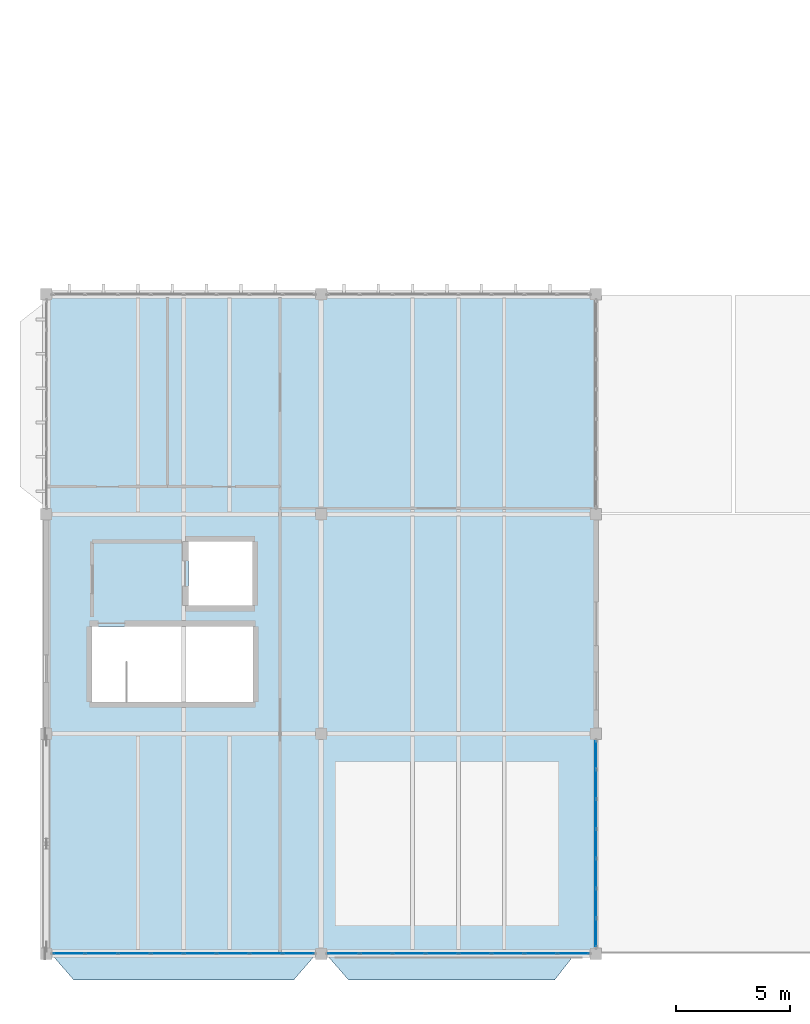
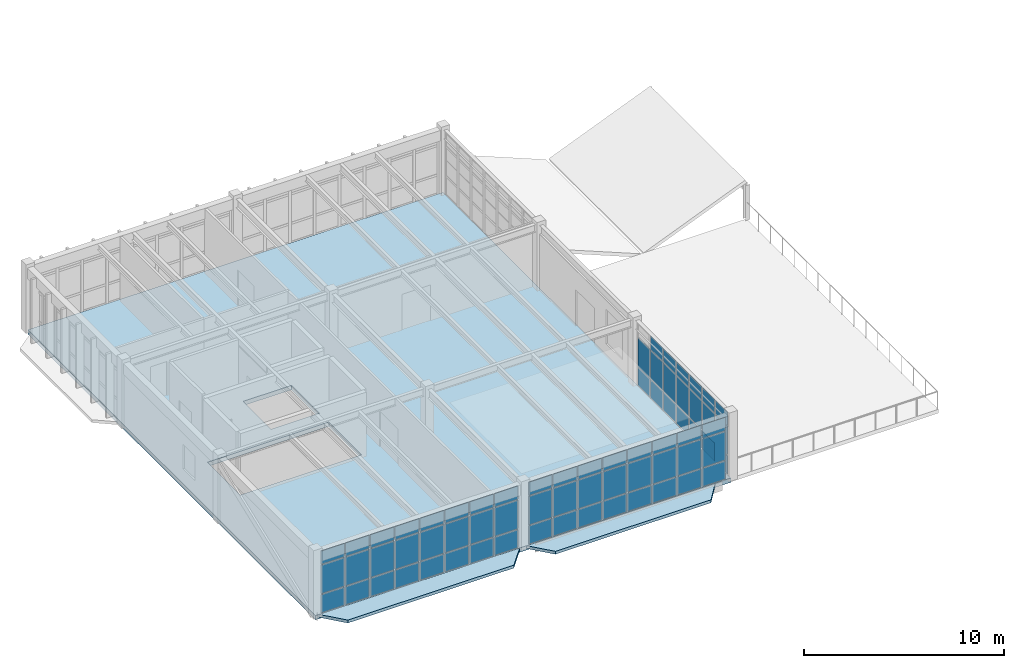
# One storey, part 59 of 83: 68 plates, 3 slabs, 3 elements without a shape of their own.
"""IFC4 building model written with IfcOpenShell, lengths in metres."""

from ifc_helpers import new_model, si_unit, direction, frame, origin, origin_2d, place, context, subcontext, project, spatial, polyline, rectangle, outline, extrude, material, layer, layer_set, type_object, element, aggregate, save


model = new_model("IFC4")

# Units and contexts
model_context = context("Model", 3, precision=1e-05, world=origin(), true_north=direction((0.0, 1.0)))
body_context = subcontext(model_context, "Body", "Model", "MODEL_VIEW")
ifc_project = project(units=[si_unit("LENGTHUNIT", "METRE"), si_unit("AREAUNIT", "SQUARE_METRE"), si_unit("VOLUMEUNIT", "CUBIC_METRE"), si_unit("PLANEANGLEUNIT", "RADIAN"), si_unit("MASSUNIT", "GRAM", prefix="KILO")], contexts=[model_context])

# Site, building, storey
site_placement = place(None, origin())
site = spatial("IfcSite", under=ifc_project, at=site_placement, CompositionType="ELEMENT")
building_placement = place(site_placement, origin())
building = spatial("IfcBuilding", under=site, at=building_placement, Name="Pandanus Reach Market Hall", CompositionType="ELEMENT")
storey_placement = place(building_placement, frame((0.0, 0.0, 10.199951171875)))
storey = spatial("IfcBuildingStorey", under=building, at=storey_placement, Name="L02", CompositionType="ELEMENT", Elevation=10.199951171875)

# Curtain wall, plates
ifc_material_1 = material(Name="Bronze anodised aluminium and low-E glass", Category="aluminium")
ifc_layer_1 = layer(ifc_material_1, 0.159912109375, Name="CW-21")
ifc_layer_set_1 = layer_set([ifc_layer_1], Name="Bronze anodised aluminium and low-E glass")
curtain_wall_type_1 = type_object("IfcCurtainWallType", Name="CW-21", PredefinedType="NOTDEFINED", material=ifc_layer_set_1)
curtain_wall_1_placement = place(storey_placement, origin())
curtain_wall_1 = element("IfcCurtainWall", 1, at=curtain_wall_1_placement, inside=storey, type_object=curtain_wall_type_1, Name="Glazed curtain wall CW-21 CW-0063", PredefinedType="NOTDEFINED")
ifc_material_2 = material(Name="Solar-control double glazing", Category="glass")
ifc_layer_2 = layer(ifc_material_2, 0.028076171875, Name="CW-P1")
ifc_layer_set_2 = layer_set([ifc_layer_2], Name="Solar-control double glazing")
plate_type = type_object("IfcPlateType", Name="CW-P1", PredefinedType="CURTAIN_PANEL", material=ifc_layer_set_2)
plate_1_placement = place(storey_placement, frame((0.985107421875, 0.0, 0.06494140625), z_axis=(0.0, 0.0, 1.0), x_axis=(1.0, 0.0, 0.0)))
plate_1 = element("IfcPlate", 2, at=plate_1_placement, type_object=plate_type, Name="CW-21 panel 1.1", PredefinedType="CURTAIN_PANEL", context=body_context, shape_type="SweptSolid", body=[
    extrude(rectangle(XDim=1.340087890625, YDim=0.028076171875, at=origin_2d()), origin(), (0.0, 0.0, 1.0), 1.1025390625),
])
plate_2_placement = place(storey_placement, frame((0.985107421875, 0.0, 1.232421875), z_axis=(0.0, 0.0, 1.0), x_axis=(1.0, 0.0, 0.0)))
plate_2 = element("IfcPlate", 3, at=plate_2_placement, type_object=plate_type, Name="CW-21 panel 1.2", PredefinedType="CURTAIN_PANEL", context=body_context, shape_type="SweptSolid", body=[
    extrude(rectangle(XDim=1.340087890625, YDim=0.028076171875, at=origin_2d()), origin(), (0.0, 0.0, 1.0), 1.735107421875),
])
plate_3_placement = place(storey_placement, frame((0.985107421875, 0.0, 3.03271484375), z_axis=(0.0, 0.0, 1.0), x_axis=(1.0, 0.0, 0.0)))
plate_3 = element("IfcPlate", 4, at=plate_3_placement, type_object=plate_type, Name="CW-21 panel 1.3", PredefinedType="CURTAIN_PANEL", context=body_context, shape_type="SweptSolid", body=[
    extrude(rectangle(XDim=1.340087890625, YDim=0.028076171875, at=origin_2d()), origin(), (0.0, 0.0, 1.0), 0.802490234375),
])
plate_4_placement = place(storey_placement, frame((2.40625, 0.0, 0.06494140625), z_axis=(0.0, 0.0, 1.0), x_axis=(1.0, 0.0, 0.0)))
plate_4 = element("IfcPlate", 5, at=plate_4_placement, type_object=plate_type, Name="CW-21 panel 2.1", PredefinedType="CURTAIN_PANEL", context=body_context, shape_type="SweptSolid", body=[
    extrude(rectangle(XDim=1.37255859375, YDim=0.028076171875, at=origin_2d()), origin(), (0.0, 0.0, 1.0), 1.1025390625),
])
plate_5_placement = place(storey_placement, frame((2.40625, 0.0, 1.232421875), z_axis=(0.0, 0.0, 1.0), x_axis=(1.0, 0.0, 0.0)))
plate_5 = element("IfcPlate", 6, at=plate_5_placement, type_object=plate_type, Name="CW-21 panel 2.2", PredefinedType="CURTAIN_PANEL", context=body_context, shape_type="SweptSolid", body=[
    extrude(rectangle(XDim=1.37255859375, YDim=0.028076171875, at=origin_2d()), origin(), (0.0, 0.0, 1.0), 1.735107421875),
])
plate_6_placement = place(storey_placement, frame((2.40625, 0.0, 3.03271484375), z_axis=(0.0, 0.0, 1.0), x_axis=(1.0, 0.0, 0.0)))
plate_6 = element("IfcPlate", 7, at=plate_6_placement, type_object=plate_type, Name="CW-21 panel 2.3", PredefinedType="CURTAIN_PANEL", context=body_context, shape_type="SweptSolid", body=[
    extrude(rectangle(XDim=1.37255859375, YDim=0.028076171875, at=origin_2d()), origin(), (0.0, 0.0, 1.0), 0.802490234375),
])
plate_7_placement = place(storey_placement, frame((3.84375, 0.0, 0.06494140625), z_axis=(0.0, 0.0, 1.0), x_axis=(1.0, 0.0, 0.0)))
plate_7 = element("IfcPlate", 8, at=plate_7_placement, type_object=plate_type, Name="CW-21 panel 3.1", PredefinedType="CURTAIN_PANEL", context=body_context, shape_type="SweptSolid", body=[
    extrude(rectangle(XDim=1.37255859375, YDim=0.028076171875, at=origin_2d()), origin(), (0.0, 0.0, 1.0), 1.1025390625),
])
plate_8_placement = place(storey_placement, frame((3.84375, 0.0, 1.232421875), z_axis=(0.0, 0.0, 1.0), x_axis=(1.0, 0.0, 0.0)))
plate_8 = element("IfcPlate", 9, at=plate_8_placement, type_object=plate_type, Name="CW-21 panel 3.2", PredefinedType="CURTAIN_PANEL", context=body_context, shape_type="SweptSolid", body=[
    extrude(rectangle(XDim=1.37255859375, YDim=0.028076171875, at=origin_2d()), origin(), (0.0, 0.0, 1.0), 1.735107421875),
])
plate_9_placement = place(storey_placement, frame((3.84375, 0.0, 3.03271484375), z_axis=(0.0, 0.0, 1.0), x_axis=(1.0, 0.0, 0.0)))
plate_9 = element("IfcPlate", 10, at=plate_9_placement, type_object=plate_type, Name="CW-21 panel 3.3", PredefinedType="CURTAIN_PANEL", context=body_context, shape_type="SweptSolid", body=[
    extrude(rectangle(XDim=1.37255859375, YDim=0.028076171875, at=origin_2d()), origin(), (0.0, 0.0, 1.0), 0.802490234375),
])
plate_10_placement = place(storey_placement, frame((5.28125, 0.0, 0.06494140625), z_axis=(0.0, 0.0, 1.0), x_axis=(1.0, 0.0, 0.0)))
plate_10 = element("IfcPlate", 11, at=plate_10_placement, type_object=plate_type, Name="CW-21 panel 4.1", PredefinedType="CURTAIN_PANEL", context=body_context, shape_type="SweptSolid", body=[
    extrude(rectangle(XDim=1.37255859375, YDim=0.028076171875, at=origin_2d()), origin(), (0.0, 0.0, 1.0), 1.1025390625),
])
plate_11_placement = place(storey_placement, frame((5.28125, 0.0, 1.232421875), z_axis=(0.0, 0.0, 1.0), x_axis=(1.0, 0.0, 0.0)))
plate_11 = element("IfcPlate", 12, at=plate_11_placement, type_object=plate_type, Name="CW-21 panel 4.2", PredefinedType="CURTAIN_PANEL", context=body_context, shape_type="SweptSolid", body=[
    extrude(rectangle(XDim=1.37255859375, YDim=0.028076171875, at=origin_2d()), origin(), (0.0, 0.0, 1.0), 1.735107421875),
])
plate_12_placement = place(storey_placement, frame((5.28125, 0.0, 3.03271484375), z_axis=(0.0, 0.0, 1.0), x_axis=(1.0, 0.0, 0.0)))
plate_12 = element("IfcPlate", 13, at=plate_12_placement, type_object=plate_type, Name="CW-21 panel 4.3", PredefinedType="CURTAIN_PANEL", context=body_context, shape_type="SweptSolid", body=[
    extrude(rectangle(XDim=1.37255859375, YDim=0.028076171875, at=origin_2d()), origin(), (0.0, 0.0, 1.0), 0.802490234375),
])
plate_13_placement = place(storey_placement, frame((6.71875, 0.0, 0.06494140625), z_axis=(0.0, 0.0, 1.0), x_axis=(1.0, 0.0, 0.0)))
plate_13 = element("IfcPlate", 14, at=plate_13_placement, type_object=plate_type, Name="CW-21 panel 5.1", PredefinedType="CURTAIN_PANEL", context=body_context, shape_type="SweptSolid", body=[
    extrude(rectangle(XDim=1.37255859375, YDim=0.028076171875, at=origin_2d()), origin(), (0.0, 0.0, 1.0), 1.1025390625),
])
plate_14_placement = place(storey_placement, frame((6.71875, 0.0, 1.232421875), z_axis=(0.0, 0.0, 1.0), x_axis=(1.0, 0.0, 0.0)))
plate_14 = element("IfcPlate", 15, at=plate_14_placement, type_object=plate_type, Name="CW-21 panel 5.2", PredefinedType="CURTAIN_PANEL", context=body_context, shape_type="SweptSolid", body=[
    extrude(rectangle(XDim=1.37255859375, YDim=0.028076171875, at=origin_2d()), origin(), (0.0, 0.0, 1.0), 1.735107421875),
])
plate_15_placement = place(storey_placement, frame((6.71875, 0.0, 3.03271484375), z_axis=(0.0, 0.0, 1.0), x_axis=(1.0, 0.0, 0.0)))
plate_15 = element("IfcPlate", 16, at=plate_15_placement, type_object=plate_type, Name="CW-21 panel 5.3", PredefinedType="CURTAIN_PANEL", context=body_context, shape_type="SweptSolid", body=[
    extrude(rectangle(XDim=1.37255859375, YDim=0.028076171875, at=origin_2d()), origin(), (0.0, 0.0, 1.0), 0.802490234375),
])
plate_16_placement = place(storey_placement, frame((8.15625, 0.0, 0.06494140625), z_axis=(0.0, 0.0, 1.0), x_axis=(1.0, 0.0, 0.0)))
plate_16 = element("IfcPlate", 17, at=plate_16_placement, type_object=plate_type, Name="CW-21 panel 6.1", PredefinedType="CURTAIN_PANEL", context=body_context, shape_type="SweptSolid", body=[
    extrude(rectangle(XDim=1.37255859375, YDim=0.028076171875, at=origin_2d()), origin(), (0.0, 0.0, 1.0), 1.1025390625),
])
plate_17_placement = place(storey_placement, frame((8.15625, 0.0, 1.232421875), z_axis=(0.0, 0.0, 1.0), x_axis=(1.0, 0.0, 0.0)))
plate_17 = element("IfcPlate", 18, at=plate_17_placement, type_object=plate_type, Name="CW-21 panel 6.2", PredefinedType="CURTAIN_PANEL", context=body_context, shape_type="SweptSolid", body=[
    extrude(rectangle(XDim=1.37255859375, YDim=0.028076171875, at=origin_2d()), origin(), (0.0, 0.0, 1.0), 1.735107421875),
])
plate_18_placement = place(storey_placement, frame((8.15625, 0.0, 3.03271484375), z_axis=(0.0, 0.0, 1.0), x_axis=(1.0, 0.0, 0.0)))
plate_18 = element("IfcPlate", 19, at=plate_18_placement, type_object=plate_type, Name="CW-21 panel 6.3", PredefinedType="CURTAIN_PANEL", context=body_context, shape_type="SweptSolid", body=[
    extrude(rectangle(XDim=1.37255859375, YDim=0.028076171875, at=origin_2d()), origin(), (0.0, 0.0, 1.0), 0.802490234375),
])
plate_19_placement = place(storey_placement, frame((9.59375, 0.0, 0.06494140625), z_axis=(0.0, 0.0, 1.0), x_axis=(1.0, 0.0, 0.0)))
plate_19 = element("IfcPlate", 20, at=plate_19_placement, type_object=plate_type, Name="CW-21 panel 7.1", PredefinedType="CURTAIN_PANEL", context=body_context, shape_type="SweptSolid", body=[
    extrude(rectangle(XDim=1.37255859375, YDim=0.028076171875, at=origin_2d()), origin(), (0.0, 0.0, 1.0), 1.1025390625),
])
plate_20_placement = place(storey_placement, frame((9.59375, 0.0, 1.232421875), z_axis=(0.0, 0.0, 1.0), x_axis=(1.0, 0.0, 0.0)))
plate_20 = element("IfcPlate", 21, at=plate_20_placement, type_object=plate_type, Name="CW-21 panel 7.2", PredefinedType="CURTAIN_PANEL", context=body_context, shape_type="SweptSolid", body=[
    extrude(rectangle(XDim=1.37255859375, YDim=0.028076171875, at=origin_2d()), origin(), (0.0, 0.0, 1.0), 1.735107421875),
])
plate_21_placement = place(storey_placement, frame((9.59375, 0.0, 3.03271484375), z_axis=(0.0, 0.0, 1.0), x_axis=(1.0, 0.0, 0.0)))
plate_21 = element("IfcPlate", 22, at=plate_21_placement, type_object=plate_type, Name="CW-21 panel 7.3", PredefinedType="CURTAIN_PANEL", context=body_context, shape_type="SweptSolid", body=[
    extrude(rectangle(XDim=1.37255859375, YDim=0.028076171875, at=origin_2d()), origin(), (0.0, 0.0, 1.0), 0.802490234375),
])
plate_22_placement = place(storey_placement, frame((11.014892578125, 0.0, 0.06494140625), z_axis=(0.0, 0.0, 1.0), x_axis=(1.0, 0.0, 0.0)))
plate_22 = element("IfcPlate", 23, at=plate_22_placement, type_object=plate_type, Name="CW-21 panel 8.1", PredefinedType="CURTAIN_PANEL", context=body_context, shape_type="SweptSolid", body=[
    extrude(rectangle(XDim=1.340087890625, YDim=0.028076171875, at=origin_2d()), origin(), (0.0, 0.0, 1.0), 1.1025390625),
])
plate_23_placement = place(storey_placement, frame((11.014892578125, 0.0, 1.232421875), z_axis=(0.0, 0.0, 1.0), x_axis=(1.0, 0.0, 0.0)))
plate_23 = element("IfcPlate", 24, at=plate_23_placement, type_object=plate_type, Name="CW-21 panel 8.2", PredefinedType="CURTAIN_PANEL", context=body_context, shape_type="SweptSolid", body=[
    extrude(rectangle(XDim=1.340087890625, YDim=0.028076171875, at=origin_2d()), origin(), (0.0, 0.0, 1.0), 1.735107421875),
])
plate_24_placement = place(storey_placement, frame((11.014892578125, 0.0, 3.03271484375), z_axis=(0.0, 0.0, 1.0), x_axis=(1.0, 0.0, 0.0)))
plate_24 = element("IfcPlate", 25, at=plate_24_placement, type_object=plate_type, Name="CW-21 panel 8.3", PredefinedType="CURTAIN_PANEL", context=body_context, shape_type="SweptSolid", body=[
    extrude(rectangle(XDim=1.340087890625, YDim=0.028076171875, at=origin_2d()), origin(), (0.0, 0.0, 1.0), 0.802490234375),
])
aggregate(curtain_wall_1, [plate_1, plate_2, plate_3, plate_4, plate_5, plate_6, plate_7, plate_8, plate_9, plate_10, plate_11, plate_12, plate_13, plate_14, plate_15, plate_16, plate_17, plate_18, plate_19, plate_20, plate_21, plate_22, plate_23, plate_24])

curtain_wall_2_placement = place(storey_placement, origin())
curtain_wall_2 = element("IfcCurtainWall", 26, at=curtain_wall_2_placement, inside=storey, type_object=curtain_wall_type_1, Name="Glazed curtain wall CW-21 CW-0064", PredefinedType="NOTDEFINED")
plate_25_placement = place(storey_placement, frame((12.985107421875, 0.0, 0.06494140625), z_axis=(0.0, 0.0, 1.0), x_axis=(1.0, 0.0, 0.0)))
plate_25 = element("IfcPlate", 27, at=plate_25_placement, type_object=plate_type, Name="CW-21 panel 1.1", PredefinedType="CURTAIN_PANEL", context=body_context, shape_type="SweptSolid", body=[
    extrude(rectangle(XDim=1.340087890625, YDim=0.028076171875, at=origin_2d()), origin(), (0.0, 0.0, 1.0), 1.1025390625),
])
plate_26_placement = place(storey_placement, frame((12.985107421875, 0.0, 1.232421875), z_axis=(0.0, 0.0, 1.0), x_axis=(1.0, 0.0, 0.0)))
plate_26 = element("IfcPlate", 28, at=plate_26_placement, type_object=plate_type, Name="CW-21 panel 1.2", PredefinedType="CURTAIN_PANEL", context=body_context, shape_type="SweptSolid", body=[
    extrude(rectangle(XDim=1.340087890625, YDim=0.028076171875, at=origin_2d()), origin(), (0.0, 0.0, 1.0), 1.735107421875),
])
plate_27_placement = place(storey_placement, frame((12.985107421875, 0.0, 3.03271484375), z_axis=(0.0, 0.0, 1.0), x_axis=(1.0, 0.0, 0.0)))
plate_27 = element("IfcPlate", 29, at=plate_27_placement, type_object=plate_type, Name="CW-21 panel 1.3", PredefinedType="CURTAIN_PANEL", context=body_context, shape_type="SweptSolid", body=[
    extrude(rectangle(XDim=1.340087890625, YDim=0.028076171875, at=origin_2d()), origin(), (0.0, 0.0, 1.0), 0.802490234375),
])
plate_28_placement = place(storey_placement, frame((14.40625, 0.0, 0.06494140625), z_axis=(0.0, 0.0, 1.0), x_axis=(1.0, 0.0, 0.0)))
plate_28 = element("IfcPlate", 30, at=plate_28_placement, type_object=plate_type, Name="CW-21 panel 2.1", PredefinedType="CURTAIN_PANEL", context=body_context, shape_type="SweptSolid", body=[
    extrude(rectangle(XDim=1.37255859375, YDim=0.028076171875, at=origin_2d()), origin(), (0.0, 0.0, 1.0), 1.1025390625),
])
plate_29_placement = place(storey_placement, frame((14.40625, 0.0, 1.232421875), z_axis=(0.0, 0.0, 1.0), x_axis=(1.0, 0.0, 0.0)))
plate_29 = element("IfcPlate", 31, at=plate_29_placement, type_object=plate_type, Name="CW-21 panel 2.2", PredefinedType="CURTAIN_PANEL", context=body_context, shape_type="SweptSolid", body=[
    extrude(rectangle(XDim=1.37255859375, YDim=0.028076171875, at=origin_2d()), origin(), (0.0, 0.0, 1.0), 1.735107421875),
])
plate_30_placement = place(storey_placement, frame((14.40625, 0.0, 3.03271484375), z_axis=(0.0, 0.0, 1.0), x_axis=(1.0, 0.0, 0.0)))
plate_30 = element("IfcPlate", 32, at=plate_30_placement, type_object=plate_type, Name="CW-21 panel 2.3", PredefinedType="CURTAIN_PANEL", context=body_context, shape_type="SweptSolid", body=[
    extrude(rectangle(XDim=1.37255859375, YDim=0.028076171875, at=origin_2d()), origin(), (0.0, 0.0, 1.0), 0.802490234375),
])
plate_31_placement = place(storey_placement, frame((15.84375, 0.0, 0.06494140625), z_axis=(0.0, 0.0, 1.0), x_axis=(1.0, 0.0, 0.0)))
plate_31 = element("IfcPlate", 33, at=plate_31_placement, type_object=plate_type, Name="CW-21 panel 3.1", PredefinedType="CURTAIN_PANEL", context=body_context, shape_type="SweptSolid", body=[
    extrude(rectangle(XDim=1.37255859375, YDim=0.028076171875, at=origin_2d()), origin(), (0.0, 0.0, 1.0), 1.1025390625),
])
plate_32_placement = place(storey_placement, frame((15.84375, 0.0, 1.232421875), z_axis=(0.0, 0.0, 1.0), x_axis=(1.0, 0.0, 0.0)))
plate_32 = element("IfcPlate", 34, at=plate_32_placement, type_object=plate_type, Name="CW-21 panel 3.2", PredefinedType="CURTAIN_PANEL", context=body_context, shape_type="SweptSolid", body=[
    extrude(rectangle(XDim=1.37255859375, YDim=0.028076171875, at=origin_2d()), origin(), (0.0, 0.0, 1.0), 1.735107421875),
])
plate_33_placement = place(storey_placement, frame((15.84375, 0.0, 3.03271484375), z_axis=(0.0, 0.0, 1.0), x_axis=(1.0, 0.0, 0.0)))
plate_33 = element("IfcPlate", 35, at=plate_33_placement, type_object=plate_type, Name="CW-21 panel 3.3", PredefinedType="CURTAIN_PANEL", context=body_context, shape_type="SweptSolid", body=[
    extrude(rectangle(XDim=1.37255859375, YDim=0.028076171875, at=origin_2d()), origin(), (0.0, 0.0, 1.0), 0.802490234375),
])
plate_34_placement = place(storey_placement, frame((17.28125, 0.0, 0.06494140625), z_axis=(0.0, 0.0, 1.0), x_axis=(1.0, 0.0, 0.0)))
plate_34 = element("IfcPlate", 36, at=plate_34_placement, type_object=plate_type, Name="CW-21 panel 4.1", PredefinedType="CURTAIN_PANEL", context=body_context, shape_type="SweptSolid", body=[
    extrude(rectangle(XDim=1.37255859375, YDim=0.028076171875, at=origin_2d()), origin(), (0.0, 0.0, 1.0), 1.1025390625),
])
plate_35_placement = place(storey_placement, frame((17.28125, 0.0, 1.232421875), z_axis=(0.0, 0.0, 1.0), x_axis=(1.0, 0.0, 0.0)))
plate_35 = element("IfcPlate", 37, at=plate_35_placement, type_object=plate_type, Name="CW-21 panel 4.2", PredefinedType="CURTAIN_PANEL", context=body_context, shape_type="SweptSolid", body=[
    extrude(rectangle(XDim=1.37255859375, YDim=0.028076171875, at=origin_2d()), origin(), (0.0, 0.0, 1.0), 1.735107421875),
])
plate_36_placement = place(storey_placement, frame((17.28125, 0.0, 3.03271484375), z_axis=(0.0, 0.0, 1.0), x_axis=(1.0, 0.0, 0.0)))
plate_36 = element("IfcPlate", 38, at=plate_36_placement, type_object=plate_type, Name="CW-21 panel 4.3", PredefinedType="CURTAIN_PANEL", context=body_context, shape_type="SweptSolid", body=[
    extrude(rectangle(XDim=1.37255859375, YDim=0.028076171875, at=origin_2d()), origin(), (0.0, 0.0, 1.0), 0.802490234375),
])
plate_37_placement = place(storey_placement, frame((18.71875, 0.0, 0.06494140625), z_axis=(0.0, 0.0, 1.0), x_axis=(1.0, 0.0, 0.0)))
plate_37 = element("IfcPlate", 39, at=plate_37_placement, type_object=plate_type, Name="CW-21 panel 5.1", PredefinedType="CURTAIN_PANEL", context=body_context, shape_type="SweptSolid", body=[
    extrude(rectangle(XDim=1.37255859375, YDim=0.028076171875, at=origin_2d()), origin(), (0.0, 0.0, 1.0), 1.1025390625),
])
plate_38_placement = place(storey_placement, frame((18.71875, 0.0, 1.232421875), z_axis=(0.0, 0.0, 1.0), x_axis=(1.0, 0.0, 0.0)))
plate_38 = element("IfcPlate", 40, at=plate_38_placement, type_object=plate_type, Name="CW-21 panel 5.2", PredefinedType="CURTAIN_PANEL", context=body_context, shape_type="SweptSolid", body=[
    extrude(rectangle(XDim=1.37255859375, YDim=0.028076171875, at=origin_2d()), origin(), (0.0, 0.0, 1.0), 1.735107421875),
])
plate_39_placement = place(storey_placement, frame((18.71875, 0.0, 3.03271484375), z_axis=(0.0, 0.0, 1.0), x_axis=(1.0, 0.0, 0.0)))
plate_39 = element("IfcPlate", 41, at=plate_39_placement, type_object=plate_type, Name="CW-21 panel 5.3", PredefinedType="CURTAIN_PANEL", context=body_context, shape_type="SweptSolid", body=[
    extrude(rectangle(XDim=1.37255859375, YDim=0.028076171875, at=origin_2d()), origin(), (0.0, 0.0, 1.0), 0.802490234375),
])
plate_40_placement = place(storey_placement, frame((20.15625, 0.0, 0.06494140625), z_axis=(0.0, 0.0, 1.0), x_axis=(1.0, 0.0, 0.0)))
plate_40 = element("IfcPlate", 42, at=plate_40_placement, type_object=plate_type, Name="CW-21 panel 6.1", PredefinedType="CURTAIN_PANEL", context=body_context, shape_type="SweptSolid", body=[
    extrude(rectangle(XDim=1.37255859375, YDim=0.028076171875, at=origin_2d()), origin(), (0.0, 0.0, 1.0), 1.1025390625),
])
plate_41_placement = place(storey_placement, frame((20.15625, 0.0, 1.232421875), z_axis=(0.0, 0.0, 1.0), x_axis=(1.0, 0.0, 0.0)))
plate_41 = element("IfcPlate", 43, at=plate_41_placement, type_object=plate_type, Name="CW-21 panel 6.2", PredefinedType="CURTAIN_PANEL", context=body_context, shape_type="SweptSolid", body=[
    extrude(rectangle(XDim=1.37255859375, YDim=0.028076171875, at=origin_2d()), origin(), (0.0, 0.0, 1.0), 1.735107421875),
])
plate_42_placement = place(storey_placement, frame((20.15625, 0.0, 3.03271484375), z_axis=(0.0, 0.0, 1.0), x_axis=(1.0, 0.0, 0.0)))
plate_42 = element("IfcPlate", 44, at=plate_42_placement, type_object=plate_type, Name="CW-21 panel 6.3", PredefinedType="CURTAIN_PANEL", context=body_context, shape_type="SweptSolid", body=[
    extrude(rectangle(XDim=1.37255859375, YDim=0.028076171875, at=origin_2d()), origin(), (0.0, 0.0, 1.0), 0.802490234375),
])
plate_43_placement = place(storey_placement, frame((21.59375, 0.0, 0.06494140625), z_axis=(0.0, 0.0, 1.0), x_axis=(1.0, 0.0, 0.0)))
plate_43 = element("IfcPlate", 45, at=plate_43_placement, type_object=plate_type, Name="CW-21 panel 7.1", PredefinedType="CURTAIN_PANEL", context=body_context, shape_type="SweptSolid", body=[
    extrude(rectangle(XDim=1.37255859375, YDim=0.028076171875, at=origin_2d()), origin(), (0.0, 0.0, 1.0), 1.1025390625),
])
plate_44_placement = place(storey_placement, frame((21.59375, 0.0, 1.232421875), z_axis=(0.0, 0.0, 1.0), x_axis=(1.0, 0.0, 0.0)))
plate_44 = element("IfcPlate", 46, at=plate_44_placement, type_object=plate_type, Name="CW-21 panel 7.2", PredefinedType="CURTAIN_PANEL", context=body_context, shape_type="SweptSolid", body=[
    extrude(rectangle(XDim=1.37255859375, YDim=0.028076171875, at=origin_2d()), origin(), (0.0, 0.0, 1.0), 1.735107421875),
])
plate_45_placement = place(storey_placement, frame((21.59375, 0.0, 3.03271484375), z_axis=(0.0, 0.0, 1.0), x_axis=(1.0, 0.0, 0.0)))
plate_45 = element("IfcPlate", 47, at=plate_45_placement, type_object=plate_type, Name="CW-21 panel 7.3", PredefinedType="CURTAIN_PANEL", context=body_context, shape_type="SweptSolid", body=[
    extrude(rectangle(XDim=1.37255859375, YDim=0.028076171875, at=origin_2d()), origin(), (0.0, 0.0, 1.0), 0.802490234375),
])
plate_46_placement = place(storey_placement, frame((23.014892578125, 0.0, 0.06494140625), z_axis=(0.0, 0.0, 1.0), x_axis=(1.0, 0.0, 0.0)))
plate_46 = element("IfcPlate", 48, at=plate_46_placement, type_object=plate_type, Name="CW-21 panel 8.1", PredefinedType="CURTAIN_PANEL", context=body_context, shape_type="SweptSolid", body=[
    extrude(rectangle(XDim=1.340087890625, YDim=0.028076171875, at=origin_2d()), origin(), (0.0, 0.0, 1.0), 1.1025390625),
])
plate_47_placement = place(storey_placement, frame((23.014892578125, 0.0, 1.232421875), z_axis=(0.0, 0.0, 1.0), x_axis=(1.0, 0.0, 0.0)))
plate_47 = element("IfcPlate", 49, at=plate_47_placement, type_object=plate_type, Name="CW-21 panel 8.2", PredefinedType="CURTAIN_PANEL", context=body_context, shape_type="SweptSolid", body=[
    extrude(rectangle(XDim=1.340087890625, YDim=0.028076171875, at=origin_2d()), origin(), (0.0, 0.0, 1.0), 1.735107421875),
])
plate_48_placement = place(storey_placement, frame((23.014892578125, 0.0, 3.03271484375), z_axis=(0.0, 0.0, 1.0), x_axis=(1.0, 0.0, 0.0)))
plate_48 = element("IfcPlate", 50, at=plate_48_placement, type_object=plate_type, Name="CW-21 panel 8.3", PredefinedType="CURTAIN_PANEL", context=body_context, shape_type="SweptSolid", body=[
    extrude(rectangle(XDim=1.340087890625, YDim=0.028076171875, at=origin_2d()), origin(), (0.0, 0.0, 1.0), 0.802490234375),
])
aggregate(curtain_wall_2, [plate_25, plate_26, plate_27, plate_28, plate_29, plate_30, plate_31, plate_32, plate_33, plate_34, plate_35, plate_36, plate_37, plate_38, plate_39, plate_40, plate_41, plate_42, plate_43, plate_44, plate_45, plate_46, plate_47, plate_48])

ifc_layer_3 = layer(ifc_material_1, 0.159912109375, Name="CW-24")
ifc_layer_set_3 = layer_set([ifc_layer_3], Name="Bronze anodised aluminium and low-E glass")
curtain_wall_type_2 = type_object("IfcCurtainWallType", Name="CW-24", PredefinedType="NOTDEFINED", material=ifc_layer_set_3)
curtain_wall_3_placement = place(storey_placement, origin())
curtain_wall_3 = element("IfcCurtainWall", 51, at=curtain_wall_3_placement, inside=storey, type_object=curtain_wall_type_2, Name="Glazed curtain wall CW-24 CW-0068", PredefinedType="NOTDEFINED")
plate_49_placement = place(storey_placement, frame((24.0, 0.916259765625, 0.06494140625), z_axis=(0.0, 0.0, 1.0), x_axis=(0.0, 1.0, 0.0)))
plate_49 = element("IfcPlate", 52, at=plate_49_placement, type_object=plate_type, Name="CW-24 panel 1.1", PredefinedType="CURTAIN_PANEL", context=body_context, shape_type="SweptSolid", body=[
    extrude(rectangle(XDim=1.202392578125, YDim=0.028076171875, at=origin_2d()), origin(), (0.0, 0.0, 1.0), 1.1025390625),
])
plate_50_placement = place(storey_placement, frame((24.0, 0.916259765625, 1.232421875), z_axis=(0.0, 0.0, 1.0), x_axis=(0.0, 1.0, 0.0)))
plate_50 = element("IfcPlate", 53, at=plate_50_placement, type_object=plate_type, Name="CW-24 panel 1.2", PredefinedType="CURTAIN_PANEL", context=body_context, shape_type="SweptSolid", body=[
    extrude(rectangle(XDim=1.202392578125, YDim=0.028076171875, at=origin_2d()), origin(), (0.0, 0.0, 1.0), 1.735107421875),
])
plate_51_placement = place(storey_placement, frame((24.0, 0.916259765625, 3.03271484375), z_axis=(0.0, 0.0, 1.0), x_axis=(0.0, 1.0, 0.0)))
plate_51 = element("IfcPlate", 54, at=plate_51_placement, type_object=plate_type, Name="CW-24 panel 1.3", PredefinedType="CURTAIN_PANEL", context=body_context, shape_type="SweptSolid", body=[
    extrude(rectangle(XDim=1.202392578125, YDim=0.028076171875, at=origin_2d()), origin(), (0.0, 0.0, 1.0), 0.802490234375),
])
plate_52_placement = place(storey_placement, frame((24.0, 2.199951171875, 0.06494140625), z_axis=(0.0, 0.0, 1.0), x_axis=(0.0, 1.0, 0.0)))
plate_52 = element("IfcPlate", 55, at=plate_52_placement, type_object=plate_type, Name="CW-24 panel 2.1", PredefinedType="CURTAIN_PANEL", context=body_context, shape_type="SweptSolid", body=[
    extrude(rectangle(XDim=1.235107421875, YDim=0.028076171875, at=origin_2d()), origin(), (0.0, 0.0, 1.0), 1.1025390625),
])
plate_53_placement = place(storey_placement, frame((24.0, 2.199951171875, 1.232421875), z_axis=(0.0, 0.0, 1.0), x_axis=(0.0, 1.0, 0.0)))
plate_53 = element("IfcPlate", 56, at=plate_53_placement, type_object=plate_type, Name="CW-24 panel 2.2", PredefinedType="CURTAIN_PANEL", context=body_context, shape_type="SweptSolid", body=[
    extrude(rectangle(XDim=1.235107421875, YDim=0.028076171875, at=origin_2d()), origin(), (0.0, 0.0, 1.0), 1.735107421875),
])
plate_54_placement = place(storey_placement, frame((24.0, 2.199951171875, 3.03271484375), z_axis=(0.0, 0.0, 1.0), x_axis=(0.0, 1.0, 0.0)))
plate_54 = element("IfcPlate", 57, at=plate_54_placement, type_object=plate_type, Name="CW-24 panel 2.3", PredefinedType="CURTAIN_PANEL", context=body_context, shape_type="SweptSolid", body=[
    extrude(rectangle(XDim=1.235107421875, YDim=0.028076171875, at=origin_2d()), origin(), (0.0, 0.0, 1.0), 0.802490234375),
])
plate_55_placement = place(storey_placement, frame((24.0, 3.5, 0.06494140625), z_axis=(0.0, 0.0, 1.0), x_axis=(0.0, 1.0, 0.0)))
plate_55 = element("IfcPlate", 58, at=plate_55_placement, type_object=plate_type, Name="CW-24 panel 3.1", PredefinedType="CURTAIN_PANEL", context=body_context, shape_type="SweptSolid", body=[
    extrude(rectangle(XDim=1.235107421875, YDim=0.028076171875, at=origin_2d()), origin(), (0.0, 0.0, 1.0), 1.1025390625),
])
plate_56_placement = place(storey_placement, frame((24.0, 3.5, 1.232421875), z_axis=(0.0, 0.0, 1.0), x_axis=(0.0, 1.0, 0.0)))
plate_56 = element("IfcPlate", 59, at=plate_56_placement, type_object=plate_type, Name="CW-24 panel 3.2", PredefinedType="CURTAIN_PANEL", context=body_context, shape_type="SweptSolid", body=[
    extrude(rectangle(XDim=1.235107421875, YDim=0.028076171875, at=origin_2d()), origin(), (0.0, 0.0, 1.0), 1.735107421875),
])
plate_57_placement = place(storey_placement, frame((24.0, 3.5, 3.03271484375), z_axis=(0.0, 0.0, 1.0), x_axis=(0.0, 1.0, 0.0)))
plate_57 = element("IfcPlate", 60, at=plate_57_placement, type_object=plate_type, Name="CW-24 panel 3.3", PredefinedType="CURTAIN_PANEL", context=body_context, shape_type="SweptSolid", body=[
    extrude(rectangle(XDim=1.235107421875, YDim=0.028076171875, at=origin_2d()), origin(), (0.0, 0.0, 1.0), 0.802490234375),
])
plate_58_placement = place(storey_placement, frame((24.0, 4.800048828125, 0.06494140625), z_axis=(0.0, 0.0, 1.0), x_axis=(0.0, 1.0, 0.0)))
plate_58 = element("IfcPlate", 61, at=plate_58_placement, type_object=plate_type, Name="CW-24 panel 4.1", PredefinedType="CURTAIN_PANEL", context=body_context, shape_type="SweptSolid", body=[
    extrude(rectangle(XDim=1.235107421875, YDim=0.028076171875, at=origin_2d()), origin(), (0.0, 0.0, 1.0), 1.1025390625),
])
plate_59_placement = place(storey_placement, frame((24.0, 4.800048828125, 1.232421875), z_axis=(0.0, 0.0, 1.0), x_axis=(0.0, 1.0, 0.0)))
plate_59 = element("IfcPlate", 62, at=plate_59_placement, type_object=plate_type, Name="CW-24 panel 4.2", PredefinedType="CURTAIN_PANEL", context=body_context, shape_type="SweptSolid", body=[
    extrude(rectangle(XDim=1.235107421875, YDim=0.028076171875, at=origin_2d()), origin(), (0.0, 0.0, 1.0), 1.735107421875),
])
plate_60_placement = place(storey_placement, frame((24.0, 4.800048828125, 3.03271484375), z_axis=(0.0, 0.0, 1.0), x_axis=(0.0, 1.0, 0.0)))
plate_60 = element("IfcPlate", 63, at=plate_60_placement, type_object=plate_type, Name="CW-24 panel 4.3", PredefinedType="CURTAIN_PANEL", context=body_context, shape_type="SweptSolid", body=[
    extrude(rectangle(XDim=1.235107421875, YDim=0.028076171875, at=origin_2d()), origin(), (0.0, 0.0, 1.0), 0.802490234375),
])
plate_61_placement = place(storey_placement, frame((24.0, 6.10009765625, 0.06494140625), z_axis=(0.0, 0.0, 1.0), x_axis=(0.0, 1.0, 0.0)))
plate_61 = element("IfcPlate", 64, at=plate_61_placement, type_object=plate_type, Name="CW-24 panel 5.1", PredefinedType="CURTAIN_PANEL", context=body_context, shape_type="SweptSolid", body=[
    extrude(rectangle(XDim=1.235107421875, YDim=0.028076171875, at=origin_2d()), origin(), (0.0, 0.0, 1.0), 1.1025390625),
])
plate_62_placement = place(storey_placement, frame((24.0, 6.10009765625, 1.232421875), z_axis=(0.0, 0.0, 1.0), x_axis=(0.0, 1.0, 0.0)))
plate_62 = element("IfcPlate", 65, at=plate_62_placement, type_object=plate_type, Name="CW-24 panel 5.2", PredefinedType="CURTAIN_PANEL", context=body_context, shape_type="SweptSolid", body=[
    extrude(rectangle(XDim=1.235107421875, YDim=0.028076171875, at=origin_2d()), origin(), (0.0, 0.0, 1.0), 1.735107421875),
])
plate_63_placement = place(storey_placement, frame((24.0, 6.10009765625, 3.03271484375), z_axis=(0.0, 0.0, 1.0), x_axis=(0.0, 1.0, 0.0)))
plate_63 = element("IfcPlate", 66, at=plate_63_placement, type_object=plate_type, Name="CW-24 panel 5.3", PredefinedType="CURTAIN_PANEL", context=body_context, shape_type="SweptSolid", body=[
    extrude(rectangle(XDim=1.235107421875, YDim=0.028076171875, at=origin_2d()), origin(), (0.0, 0.0, 1.0), 0.802490234375),
])
plate_64_placement = place(storey_placement, frame((24.0, 7.39990234375, 0.06494140625), z_axis=(0.0, 0.0, 1.0), x_axis=(0.0, 1.0, 0.0)))
plate_64 = element("IfcPlate", 67, at=plate_64_placement, type_object=plate_type, Name="CW-24 panel 6.1", PredefinedType="CURTAIN_PANEL", context=body_context, shape_type="SweptSolid", body=[
    extrude(rectangle(XDim=1.235107421875, YDim=0.028076171875, at=origin_2d()), origin(), (0.0, 0.0, 1.0), 1.1025390625),
])
plate_65_placement = place(storey_placement, frame((24.0, 7.39990234375, 1.232421875), z_axis=(0.0, 0.0, 1.0), x_axis=(0.0, 1.0, 0.0)))
plate_65 = element("IfcPlate", 68, at=plate_65_placement, type_object=plate_type, Name="CW-24 panel 6.2", PredefinedType="CURTAIN_PANEL", context=body_context, shape_type="SweptSolid", body=[
    extrude(rectangle(XDim=1.235107421875, YDim=0.028076171875, at=origin_2d()), origin(), (0.0, 0.0, 1.0), 1.735107421875),
])
plate_66_placement = place(storey_placement, frame((24.0, 7.39990234375, 3.03271484375), z_axis=(0.0, 0.0, 1.0), x_axis=(0.0, 1.0, 0.0)))
plate_66 = element("IfcPlate", 69, at=plate_66_placement, type_object=plate_type, Name="CW-24 panel 6.3", PredefinedType="CURTAIN_PANEL", context=body_context, shape_type="SweptSolid", body=[
    extrude(rectangle(XDim=1.235107421875, YDim=0.028076171875, at=origin_2d()), origin(), (0.0, 0.0, 1.0), 0.802490234375),
])
plate_67_placement = place(storey_placement, frame((24.0, 8.683837890625, 0.06494140625), z_axis=(0.0, 0.0, 1.0), x_axis=(0.0, 1.0, 0.0)))
plate_67 = element("IfcPlate", 70, at=plate_67_placement, type_object=plate_type, Name="CW-24 panel 7.1", PredefinedType="CURTAIN_PANEL", context=body_context, shape_type="SweptSolid", body=[
    extrude(rectangle(XDim=1.202392578125, YDim=0.028076171875, at=origin_2d()), origin(), (0.0, 0.0, 1.0), 1.1025390625),
])
plate_68_placement = place(storey_placement, frame((24.0, 8.683837890625, 1.232421875), z_axis=(0.0, 0.0, 1.0), x_axis=(0.0, 1.0, 0.0)))
plate_68 = element("IfcPlate", 71, at=plate_68_placement, type_object=plate_type, Name="CW-24 panel 7.2", PredefinedType="CURTAIN_PANEL", context=body_context, shape_type="SweptSolid", body=[
    extrude(rectangle(XDim=1.202392578125, YDim=0.028076171875, at=origin_2d()), origin(), (0.0, 0.0, 1.0), 1.735107421875),
])
aggregate(curtain_wall_3, [plate_49, plate_50, plate_51, plate_52, plate_53, plate_54, plate_55, plate_56, plate_57, plate_58, plate_59, plate_60, plate_61, plate_62, plate_63, plate_64, plate_65, plate_66, plate_67, plate_68])

# Slabs
ifc_material_3 = material(Name="Concrete N50 (50 MPa)", Category="concrete")
ifc_layer_4 = layer(ifc_material_3, 0.179931640625, Name="RF-CNP-180")
ifc_layer_set_4 = layer_set([ifc_layer_4], Name="Concrete N50 (50 MPa)")
slab_type_1 = type_object("IfcSlabType", Name="RF-CNP-180", PredefinedType="ROOF", material=ifc_layer_set_4)
slab_1_placement = place(storey_placement, frame((0.0, 0.0, -0.179931640625)))
element("IfcSlab", 72, at=slab_1_placement, inside=storey, type_object=slab_type_1, Name="Sculpted concrete brise-soleil hood 4", PredefinedType="ROOF", context=body_context, shape_type="SweptSolid", body=[
    extrude(outline(polyline([(0.199951171875, 0.0), (11.800048828125, 0.0), (10.800048828125, -1.14990234375), (1.199951171875, -1.14990234375), (0.199951171875, 0.0)])), origin(), (0.0, 0.0, 1.0), 0.179931640625),
])
slab_2_placement = place(storey_placement, frame((0.0, 0.0, -0.179931640625)))
element("IfcSlab", 73, at=slab_2_placement, inside=storey, type_object=slab_type_1, Name="Sculpted concrete brise-soleil hood 5", PredefinedType="ROOF", context=body_context, shape_type="SweptSolid", body=[
    extrude(outline(polyline([(12.199951171875, 0.0), (23.10009765625, 0.0), (22.199951171875, -1.14990234375), (13.199951171875, -1.14990234375), (12.199951171875, 0.0)])), origin(), (0.0, 0.0, 1.0), 0.179931640625),
])
ifc_material_4 = material(Name="Concrete N40 (40 MPa)", Category="concrete")
ifc_layer_5 = layer(ifc_material_4, 0.264892578125, Name="SL-L02-FC")
ifc_layer_set_5 = layer_set([ifc_layer_5], Name="Concrete N40 (40 MPa)")
slab_type_2 = type_object("IfcSlabType", Name="SL-L02-FC", PredefinedType="FLOOR", material=ifc_layer_set_5)
slab_3_placement = place(storey_placement, frame((0.0, 0.0, -0.264892578125)))
element("IfcSlab", 74, at=slab_3_placement, inside=storey, type_object=slab_type_2, Name="Floor slab SL-L02-V3", PredefinedType="FLOOR", context=body_context, shape_type="SweptSolid", body=[
    extrude(outline(polyline([(0.0, 0.0), (24.0, 0.0), (24.0, 28.800048828125), (0.0, 28.800048828125), (0.0, 0.0)]), holes=[polyline([(2.0, 11.0), (9.02001953125, 11.0), (9.02001953125, 14.300048828125), (2.0, 14.300048828125), (2.0, 11.0)]), polyline([(6.199951171875, 15.199951171875), (9.0, 15.199951171875), (9.0, 18.0), (6.199951171875, 18.0), (6.199951171875, 15.199951171875)])]), origin(), (0.0, 0.0, 1.0), 0.264892578125),
])

save(model, "model.ifc")
